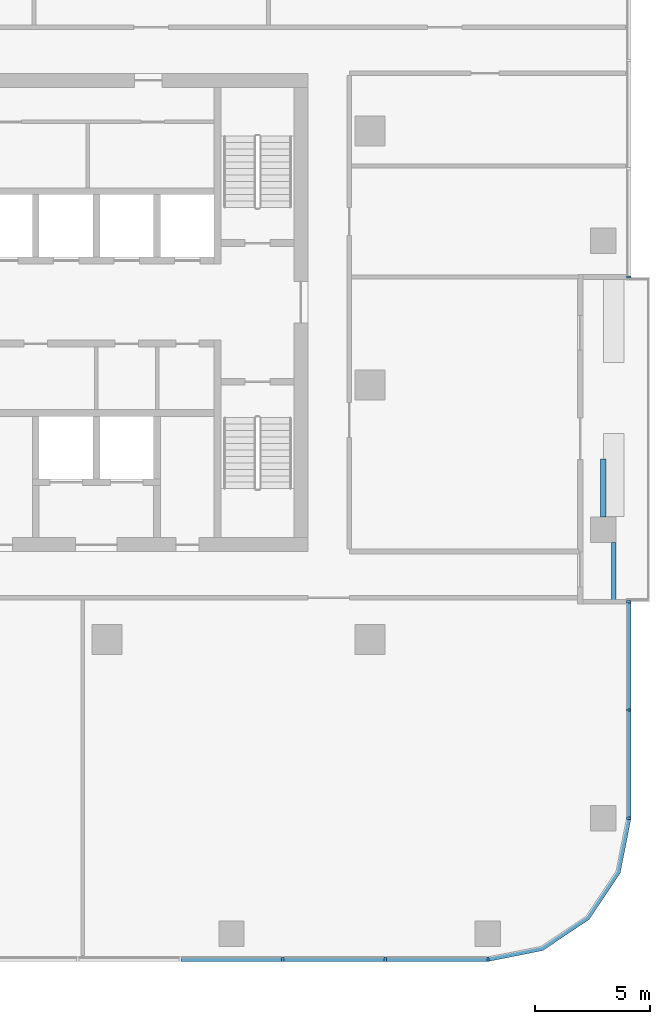
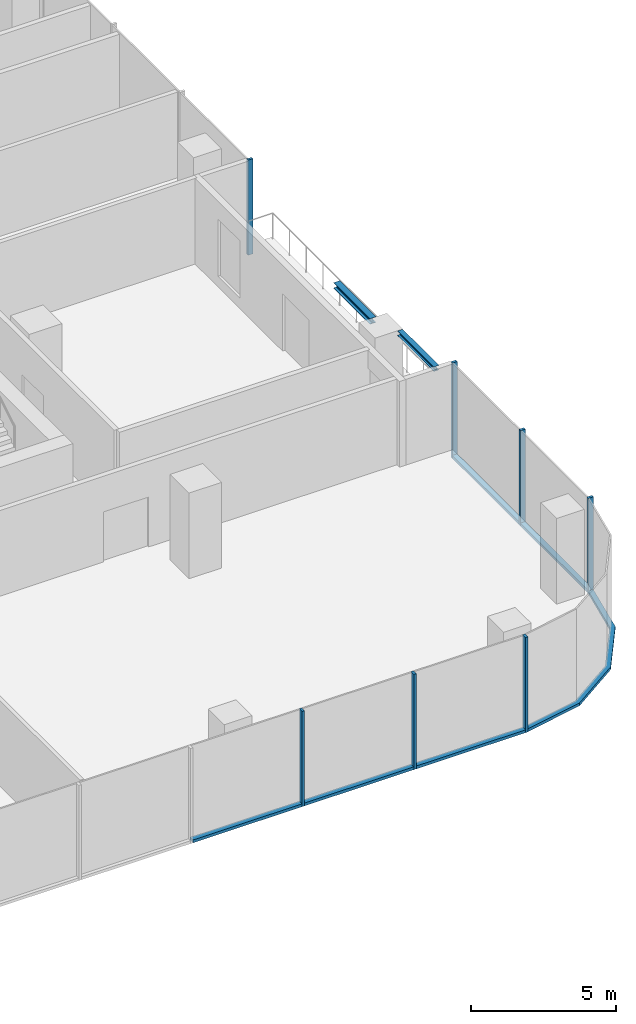
# One storey, part 3 of 14: 13 members, 2 beams, 4 elements without a shape of their own.
"""IFC4 building model written with IfcOpenShell, lengths in metres."""

import ifcopenshell
import ifcopenshell.guid

model = None  # the IFC model being written
_history = None  # IfcOwnerHistory: only IFC2X3 demands one
_inside = {}  # id of a spatial element -> (the spatial element, [elements in it])
_under = {}  # id of a project, library or spatial element -> (it, [spatial elements below it])
_declared = {}  # id of a project -> (the project, [libraries it declares])
_typed = {}  # id of a type object -> (the type object, [elements of that type])
_made_of = {}  # id of a material, layer set ... -> (it, [elements and type objects made of it])


def new_model(schema):
    """Start an empty IFC model of exactly this schema.

    Asked for "IFC4X3", IfcOpenShell would pick the latest addendum, in which some entities
    have other attributes; the version numbers below select the first issue.
    IFC2X3 requires an IfcOwnerHistory on every rooted entity: one is made here for all.
    """
    global model, _history
    if schema == "IFC4X3":
        model = ifcopenshell.file(schema_version=(4, 3, 0, 0))
    else:
        model = ifcopenshell.file(schema=schema)
    _inside.clear()
    _under.clear()
    _declared.clear()
    _typed.clear()
    _made_of.clear()
    _history = None
    if model.schema == "IFC2X3":
        org = make("IfcOrganization", Name="unknown")
        user = make(
            "IfcPersonAndOrganization",
            ThePerson=make("IfcPerson", FamilyName="unknown"),
            TheOrganization=org,
        )
        app = make(
            "IfcApplication",
            ApplicationDeveloper=org,
            Version="unknown",
            ApplicationFullName="unknown",
            ApplicationIdentifier="unknown",
        )
        _history = make(
            "IfcOwnerHistory",
            OwningUser=user,
            OwningApplication=app,
            ChangeAction="ADDED",
            CreationDate=0,
        )
    return model


def make(cls, **values):
    """One entity of the class cls with the attributes given. An attribute that is None is left unset."""
    return model.create_entity(
        cls, **{name: value for name, value in values.items() if value is not None}
    )


def rooted(cls, **values):
    """An entity with a GlobalId (a new one), such as an element, a storey or a relation."""
    return make(cls, GlobalId=ifcopenshell.guid.new(), OwnerHistory=_history, **values)


def si_unit(unit_type, name, prefix=None):
    """IfcSIUnit, for example si_unit("LENGTHUNIT", "METRE", prefix="MILLI")."""
    return make("IfcSIUnit", UnitType=unit_type, Prefix=prefix, Name=name)


def assignment(units):
    """IfcUnitAssignment: the units of a project."""
    return None if units is None else make("IfcUnitAssignment", Units=units)


def point(xyz):
    """IfcCartesianPoint."""
    return None if xyz is None else make("IfcCartesianPoint", Coordinates=xyz)


def direction(xyz):
    """IfcDirection."""
    return None if xyz is None else make("IfcDirection", DirectionRatios=xyz)


def frame(location, z_axis=None, x_axis=None):
    """IfcAxis2Placement3D, a coordinate frame: its origin and axes. An axis left out is left unset."""
    return make(
        "IfcAxis2Placement3D",
        Location=point(location),
        Axis=direction(z_axis),
        RefDirection=direction(x_axis),
    )


def frame_2d(location, x_axis=None):
    """IfcAxis2Placement2D, a coordinate frame in the plane: its origin and x axis."""
    return make(
        "IfcAxis2Placement2D", Location=point(location), RefDirection=direction(x_axis)
    )


def origin():
    """The frame at (0, 0, 0) with its axes left unset."""
    return frame((0.0, 0.0, 0.0))


def origin_2d():
    """The frame at (0, 0) in the plane with its x axis left unset."""
    return frame_2d((0.0, 0.0))


def place(relative_to, where):
    """IfcLocalPlacement: puts the frame where relative to a parent placement (None: the world)."""
    return make(
        "IfcLocalPlacement", PlacementRelTo=relative_to, RelativePlacement=where
    )


def context(
    kind, dimensions, precision=None, world=None, true_north=None, identifier=None
):
    """IfcGeometricRepresentationContext, for example the 3D "Model" context."""
    return make(
        "IfcGeometricRepresentationContext",
        ContextIdentifier=identifier,
        ContextType=kind,
        CoordinateSpaceDimension=dimensions,
        Precision=precision,
        WorldCoordinateSystem=world,
        TrueNorth=true_north,
    )


def subcontext(parent, identifier, kind, view, scale=None):
    """IfcGeometricRepresentationSubContext, for example "Body" below "Model"."""
    return make(
        "IfcGeometricRepresentationSubContext",
        ContextIdentifier=identifier,
        ContextType=kind,
        ParentContext=parent,
        TargetScale=scale,
        TargetView=view,
    )


def project(units=None, contexts=None):
    """IfcProject with its units and contexts."""
    return rooted(
        "IfcProject",
        Name="project",
        RepresentationContexts=contexts,
        UnitsInContext=assignment(units),
    )


def spatial(cls, under=None, at=None, **own):
    """A site, building, storey or space (cls), placed at a placement, below another one or the project."""
    s = rooted(cls, ObjectPlacement=at, **own)
    if under is not None:
        _under.setdefault(under.id(), (under, []))[1].append(s)
    return s


def polyline(points):
    """IfcPolyline through the points."""
    return make("IfcPolyline", Points=[point(p) for p in points])


def profile(cls, at=None, kind="AREA", **sizes):
    """A parametric profile (cls). Its sizes go by their IFC names, for example OverallWidth=200.0."""
    return make(cls, ProfileType=kind, Position=at, **sizes)


def rectangle(**sizes):
    """IfcRectangleProfileDef."""
    return profile("IfcRectangleProfileDef", **sizes)


def i_section(**sizes):
    """IfcIShapeProfileDef."""
    return profile("IfcIShapeProfileDef", **sizes)


def outline(outer, holes=None, kind="AREA"):
    """IfcArbitraryClosedProfileDef: a profile drawn as a closed curve; with holes, ...WithVoids."""
    if holes is None:
        return make("IfcArbitraryClosedProfileDef", ProfileType=kind, OuterCurve=outer)
    return make(
        "IfcArbitraryProfileDefWithVoids",
        ProfileType=kind,
        OuterCurve=outer,
        InnerCurves=holes,
    )


def extrude(swept, where, along, depth):
    """IfcExtrudedAreaSolid: the profile swept, set in the frame where, extruded along a direction by depth."""
    return make(
        "IfcExtrudedAreaSolid",
        SweptArea=swept,
        Position=where,
        ExtrudedDirection=direction(along),
        Depth=depth,
    )


def shape(context_of_items, identifier, shape_type, items):
    """IfcShapeRepresentation: the items that make up one representation, for example the "Body"."""
    return make(
        "IfcShapeRepresentation",
        ContextOfItems=context_of_items,
        RepresentationIdentifier=identifier,
        RepresentationType=shape_type,
        Items=items,
    )


def material(Name=None, Category=None):
    """IfcMaterial."""
    return make("IfcMaterial", Name=Name, Category=Category)


def material_profile(
    of_material, cross_section, Name=None, Category=None, Priority=None
):
    """IfcMaterialProfile: a cross section and its material."""
    return make(
        "IfcMaterialProfile",
        Name=Name,
        Material=of_material,
        Profile=cross_section,
        Priority=Priority,
        Category=Category,
    )


def profile_set(profiles, Name=None, composite=None):
    """IfcMaterialProfileSet."""
    return make(
        "IfcMaterialProfileSet",
        Name=Name,
        MaterialProfiles=profiles,
        CompositeProfile=composite,
    )


def made_of(thing, what):
    """Note that an element or type object is made of a material, layer set ...; save() writes the relation."""
    if what is not None:
        _made_of.setdefault(what.id(), (what, []))[1].append(thing)
    return thing


def type_object(cls, material=None, **own):
    """A type object (cls), such as IfcWallType, which elements share."""
    return made_of(rooted(cls, **own), material)


def element(
    cls,
    number,
    at=None,
    inside=None,
    cuts=None,
    type_object=None,
    material=None,
    context=None,
    identifier="Body",
    shape_type=None,
    held_by="IfcProductDefinitionShape",
    body=None,
    shapes=None,
    **own,
):
    """One element of the class cls, such as IfcWall. Its Tag is "e" and its number.

    at: its placement. inside: the storey or other place that contains it. cuts: it is an
    opening in that element (IfcRelVoidsElement). A single representation is given by context,
    identifier, shape_type and body (its items); several are given by shapes. held_by: the class
    of the entity that holds the representations. save() writes the other relations.
    """
    e = rooted(cls, Tag="e%d" % number, ObjectPlacement=at, **own)
    if body is not None:
        shapes = [shape(context, identifier, shape_type, body)]
    if shapes is not None:
        e.Representation = make(held_by, Representations=shapes)
    if inside is not None:
        _inside.setdefault(inside.id(), (inside, []))[1].append(e)
    if cuts is not None:
        rooted(
            "IfcRelVoidsElement", RelatingBuildingElement=cuts, RelatedOpeningElement=e
        )
    if type_object is not None:
        _typed.setdefault(type_object.id(), (type_object, []))[1].append(e)
    return made_of(e, material)


def aggregate(whole, parts):
    """IfcRelAggregates: a whole, such as a stair, and the parts it consists of."""
    return rooted("IfcRelAggregates", RelatingObject=whole, RelatedObjects=parts)


def save(model, path):
    """Write the relations noted so far, then the file.

    IfcRelAggregates (storeys below a building ...), IfcRelContainedInSpatialStructure (elements
    in a storey), IfcRelDefinesByType, IfcRelAssociatesMaterial and IfcRelDeclares: one each for
    every whole, place, type object, material and project.
    """
    for whole, parts in _under.values():
        aggregate(whole, parts)
    for where, things in _inside.values():
        rooted(
            "IfcRelContainedInSpatialStructure",
            RelatedElements=things,
            RelatingStructure=where,
        )
    for kind, things in _typed.values():
        rooted("IfcRelDefinesByType", RelatedObjects=things, RelatingType=kind)
    for what, things in _made_of.values():
        rooted("IfcRelAssociatesMaterial", RelatedObjects=things, RelatingMaterial=what)
    for by, libraries in _declared.values():
        rooted("IfcRelDeclares", RelatingContext=by, RelatedDefinitions=libraries)
    model.write(path)


model = new_model("IFC4")

# Units and contexts
model_context = context("Model", 3, precision=1e-05, world=origin(), true_north=direction((0.0, 1.0)))
body_context = subcontext(model_context, "Body", "Model", "MODEL_VIEW")
ifc_project = project(units=[si_unit("LENGTHUNIT", "METRE"), si_unit("AREAUNIT", "SQUARE_METRE"), si_unit("VOLUMEUNIT", "CUBIC_METRE"), si_unit("PLANEANGLEUNIT", "RADIAN"), si_unit("MASSUNIT", "GRAM", prefix="KILO")], contexts=[model_context])

# Site, building, storey
site_placement = place(None, origin())
site = spatial("IfcSite", under=ifc_project, at=site_placement, CompositionType="ELEMENT")
building_placement = place(site_placement, origin())
building = spatial("IfcBuilding", under=site, at=building_placement, Name="Mopane Tessera Tower", CompositionType="ELEMENT")
storey_placement = place(building_placement, frame((0.0, 0.0, 219.0)))
storey = spatial("IfcBuildingStorey", under=building, at=storey_placement, Name="L46", CompositionType="ELEMENT", Elevation=219.0)

# Curtain wall, members
ifc_material_1 = material(Name="Aluminium frame", Category="aluminium")
curtain_wall_type = type_object("IfcCurtainWallType", Name="Unitised curtain wall", PredefinedType="NOTDEFINED", material=ifc_material_1)
curtain_wall_1_placement = place(storey_placement, origin())
curtain_wall_1 = element("IfcCurtainWall", 1, at=curtain_wall_1_placement, inside=storey, type_object=curtain_wall_type, Name="e:cw:L46:S:4", PredefinedType="NOTDEFINED")
ifc_material_2 = material(Name="Aluminium frame", Category="aluminium")
ifc_material_profile_1 = material_profile(ifc_material_2, rectangle(XDim=0.10009765625, YDim=0.199951171875, at=origin_2d()))
ifc_profile_set_1 = profile_set([ifc_material_profile_1], Name="Aluminium frame")
member_type_1 = type_object("IfcMemberType", Name="Aluminium mullion 100 x 200", PredefinedType="MULLION", material=ifc_profile_set_1)
member_1_placement = place(storey_placement, frame((13.320068359375, -24.85009765625, -0.39990234375), z_axis=(0.0, 0.0, 1.0), x_axis=(1.0, 0.0, 0.0)))
member_1 = element("IfcMember", 2, at=member_1_placement, type_object=member_type_1, Name="e:cw:L46:S:4:mu8", PredefinedType="MULLION", context=body_context, shape_type="SweptSolid", body=[
    extrude(rectangle(XDim=0.10009765625, YDim=0.199951171875, at=origin_2d()), origin(), (0.0, 0.0, 1.0), 4.0),
])
member_2_placement = place(storey_placement, frame((17.760009765625, -24.85009765625, -0.39990234375), z_axis=(0.0, 0.0, 1.0), x_axis=(1.0, 0.0, 0.0)))
member_2 = element("IfcMember", 3, at=member_2_placement, type_object=member_type_1, Name="e:cw:L46:S:4:mu9", PredefinedType="MULLION", context=body_context, shape_type="SweptSolid", body=[
    extrude(rectangle(XDim=0.10009765625, YDim=0.199951171875, at=origin_2d()), origin(), (0.0, 0.0, 1.0), 4.0),
])
member_3_placement = place(storey_placement, frame((22.199951171875, -24.85009765625, -0.39990234375), z_axis=(0.0, 0.0, 1.0), x_axis=(1.0, 0.0, 0.0)))
member_3 = element("IfcMember", 4, at=member_3_placement, type_object=member_type_1, Name="e:cw:L46:S:4:mu10", PredefinedType="MULLION", context=body_context, shape_type="SweptSolid", body=[
    extrude(rectangle(XDim=0.10009765625, YDim=0.199951171875, at=origin_2d()), origin(), (0.0, 0.0, 1.0), 4.0),
])

curtain_wall_2_placement = place(storey_placement, origin())
curtain_wall_2 = element("IfcCurtainWall", 5, at=curtain_wall_2_placement, inside=storey, type_object=curtain_wall_type, Name="e:cw:L46:E:0", PredefinedType="NOTDEFINED")
member_4_placement = place(storey_placement, frame((28.300048828125, -18.75, -0.39990234375), z_axis=(0.0, 0.0, 1.0), x_axis=(0.0, 1.0, 0.0)))
member_4 = element("IfcMember", 6, at=member_4_placement, type_object=member_type_1, Name="e:cw:L46:E:0:mu0", PredefinedType="MULLION", context=body_context, shape_type="SweptSolid", body=[
    extrude(rectangle(XDim=0.10009765625, YDim=0.199951171875, at=origin_2d()), origin(), (0.0, 0.0, 1.0), 4.0),
])
member_5_placement = place(storey_placement, frame((28.300048828125, -14.0625, -0.39990234375), z_axis=(0.0, 0.0, 1.0), x_axis=(0.0, 1.0, 0.0)))
member_5 = element("IfcMember", 7, at=member_5_placement, type_object=member_type_1, Name="e:cw:L46:E:0:mu1", PredefinedType="MULLION", context=body_context, shape_type="SweptSolid", body=[
    extrude(rectangle(XDim=0.10009765625, YDim=0.199951171875, at=origin_2d()), origin(), (0.0, 0.0, 1.0), 4.0),
])
member_6_placement = place(storey_placement, frame((28.300048828125, -9.375, -0.39990234375), z_axis=(0.0, 0.0, 1.0), x_axis=(0.0, 1.0, 0.0)))
member_6 = element("IfcMember", 8, at=member_6_placement, type_object=member_type_1, Name="e:cw:L46:E:0:mu2", PredefinedType="MULLION", context=body_context, shape_type="SweptSolid", body=[
    extrude(rectangle(XDim=0.10009765625, YDim=0.199951171875, at=origin_2d()), origin(), (0.0, 0.0, 1.0), 4.0),
])

# Curtain wall, member
curtain_wall_3_placement = place(storey_placement, origin())
curtain_wall_3 = element("IfcCurtainWall", 9, at=curtain_wall_3_placement, inside=storey, type_object=curtain_wall_type, Name="e:cw:L46:E:5", PredefinedType="NOTDEFINED")
member_7_placement = place(storey_placement, frame((28.300048828125, 4.6875, -0.39990234375), z_axis=(0.0, 0.0, 1.0), x_axis=(0.0, 1.0, 0.0)))
member_7 = element("IfcMember", 10, at=member_7_placement, type_object=member_type_1, Name="e:cw:L46:E:5:mu5", PredefinedType="MULLION", context=body_context, shape_type="SweptSolid", body=[
    extrude(rectangle(XDim=0.10009765625, YDim=0.199951171875, at=origin_2d()), origin(), (0.0, 0.0, 1.0), 4.0),
])
aggregate(curtain_wall_3, [member_7])

# Member
ifc_material_3 = material(Name="Aluminium frame", Category="aluminium")
ifc_material_profile_2 = material_profile(ifc_material_3, rectangle(XDim=0.199951171875, YDim=0.1201171875, at=origin_2d()))
ifc_profile_set_2 = profile_set([ifc_material_profile_2], Name="Aluminium frame")
member_type_2 = type_object("IfcMemberType", Name="Aluminium transom 200 x 120", PredefinedType="USERDEFINED", material=ifc_profile_set_2)
member_8_placement = place(storey_placement, frame((8.929931640625, -24.85009765625, -0.340087890625), z_axis=(1.0, 0.0, 0.0), x_axis=(0.0, 1.0, 0.0)))
member_8 = element("IfcMember", 11, at=member_8_placement, type_object=member_type_2, Name="e:cw:L46:S:4:tr7", ObjectType="TRANSOM", PredefinedType="USERDEFINED", context=body_context, shape_type="SweptSolid", body=[
    extrude(rectangle(XDim=0.199951171875, YDim=0.1201171875, at=origin_2d()), origin(), (0.0, 0.0, 1.0), 4.340087890625),
])

member_9_placement = place(storey_placement, frame((13.3701171875, -24.85009765625, -0.340087890625), z_axis=(1.0, 0.0, 0.0), x_axis=(0.0, 1.0, 0.0)))
member_9 = element("IfcMember", 12, at=member_9_placement, type_object=member_type_2, Name="e:cw:L46:S:4:tr8", ObjectType="TRANSOM", PredefinedType="USERDEFINED", context=body_context, shape_type="SweptSolid", body=[
    extrude(rectangle(XDim=0.199951171875, YDim=0.1201171875, at=origin_2d()), origin(), (0.0, 0.0, 1.0), 4.33984375),
])

member_10_placement = place(storey_placement, frame((17.81005859375, -24.85009765625, -0.340087890625), z_axis=(1.0, 0.0, 0.0), x_axis=(0.0, 1.0, 0.0)))
member_10 = element("IfcMember", 13, at=member_10_placement, type_object=member_type_2, Name="e:cw:L46:S:4:tr9", ObjectType="TRANSOM", PredefinedType="USERDEFINED", context=body_context, shape_type="SweptSolid", body=[
    extrude(rectangle(XDim=0.199951171875, YDim=0.1201171875, at=origin_2d()), origin(), (0.0, 0.0, 1.0), 4.33984375),
])

aggregate(curtain_wall_1, [member_1, member_2, member_3, member_8, member_9, member_10])

# Curtain wall, member
curtain_wall_4_placement = place(storey_placement, origin())
curtain_wall_4 = element("IfcCurtainWall", 14, at=curtain_wall_4_placement, inside=storey, type_object=curtain_wall_type, Name="e:cw:L46:CS", PredefinedType="NOTDEFINED")
member_11_placement = place(storey_placement, frame((0.0, 0.0, -0.39990234375)))
member_11 = element("IfcMember", 15, at=member_11_placement, type_object=member_type_2, Name="e:cw:L46:CS:tr", ObjectType="TRANSOM", PredefinedType="USERDEFINED", context=body_context, shape_type="SweptSolid", body=[
    extrude(outline(polyline([(22.199951171875, -24.75), (24.49609375, -24.293212890625), (26.442626953125, -22.99267578125), (27.7431640625, -21.046142578125), (28.199951171875, -18.75), (28.39990234375, -18.75), (27.927978515625, -21.12255859375), (26.583984375, -23.134033203125), (24.57275390625, -24.47802734375), (22.199951171875, -24.949951171875), (22.199951171875, -24.75)])), origin(), (0.0, 0.0, 1.0), 0.119873046875),
])
aggregate(curtain_wall_4, [member_11])

# Member
member_12_placement = place(storey_placement, frame((28.300048828125, -18.699951171875, -0.340087890625), z_axis=(0.0, 1.0, 0.0), x_axis=(-1.0, 0.0, 0.0)))
member_12 = element("IfcMember", 16, at=member_12_placement, type_object=member_type_2, Name="e:cw:L46:E:0:tr0", ObjectType="TRANSOM", PredefinedType="USERDEFINED", context=body_context, shape_type="SweptSolid", body=[
    extrude(rectangle(XDim=0.199951171875, YDim=0.1201171875, at=origin_2d()), origin(), (0.0, 0.0, 1.0), 4.58740234375),
])

member_13_placement = place(storey_placement, frame((28.300048828125, -14.012451171875, -0.340087890625), z_axis=(0.0, 1.0, 0.0), x_axis=(-1.0, 0.0, 0.0)))
member_13 = element("IfcMember", 17, at=member_13_placement, type_object=member_type_2, Name="e:cw:L46:E:0:tr1", ObjectType="TRANSOM", PredefinedType="USERDEFINED", context=body_context, shape_type="SweptSolid", body=[
    extrude(rectangle(XDim=0.199951171875, YDim=0.1201171875, at=origin_2d()), origin(), (0.0, 0.0, 1.0), 4.58740234375),
])

aggregate(curtain_wall_2, [member_4, member_5, member_6, member_12, member_13])

# Beams
ifc_material_4 = material(Name="Structural steel S460", Category="steel")
ifc_material_profile_3 = material_profile(ifc_material_4, i_section(OverallWidth=0.239990234375, OverallDepth=0.239990234375, WebThickness=0.010009765625, FlangeThickness=0.01708984375, FilletRadius=0.02099609375, at=origin_2d()))
ifc_profile_set_3 = profile_set([ifc_material_profile_3], Name="Structural steel S460")
beam_type_1 = type_object("IfcBeamType", Name="Terrace spandrel beam HE 240 B", PredefinedType="SPANDREL", material=ifc_profile_set_3)
beam_1_placement = place(storey_placement, frame((27.199951171875, -5.697021484375, 3.47998046875), z_axis=(0.0, 1.0, 0.0), x_axis=(-1.0, 0.0, 0.0)))
element("IfcBeam", 18, at=beam_1_placement, inside=storey, type_object=beam_type_1, Name="Terrace spandrel beam N2 L47", PredefinedType="SPANDREL", context=body_context, shape_type="SweptSolid", body=[
    extrude(i_section(OverallWidth=0.239990234375, OverallDepth=0.239990234375, WebThickness=0.010009765625, FlangeThickness=0.01708984375, FilletRadius=0.02099609375, at=origin_2d()), origin(), (0.0, 0.0, 1.0), 2.5),
])
ifc_material_5 = material(Name="Structural steel S460", Category="steel")
ifc_material_profile_4 = material_profile(ifc_material_5, i_section(OverallWidth=0.199951171875, OverallDepth=0.199951171875, WebThickness=0.009033203125, FlangeThickness=0.014892578125, FilletRadius=0.01806640625, at=origin_2d()))
ifc_profile_set_4 = profile_set([ifc_material_profile_4], Name="Structural steel S460")
beam_type_2 = type_object("IfcBeamType", Name="Terrace trimmer beam HE 200 B", PredefinedType="BEAM", material=ifc_profile_set_4)
beam_2_placement = place(storey_placement, frame((27.639892578125, -6.802978515625, 3.5), z_axis=(0.0, -1.0, 0.0), x_axis=(1.0, 0.0, 0.0)))
element("IfcBeam", 19, at=beam_2_placement, inside=storey, type_object=beam_type_2, Name="Terrace trimmer beam N2 L47", PredefinedType="BEAM", context=body_context, shape_type="SweptSolid", body=[
    extrude(i_section(OverallWidth=0.199951171875, OverallDepth=0.199951171875, WebThickness=0.009033203125, FlangeThickness=0.014892578125, FilletRadius=0.01806640625, at=origin_2d()), origin(), (0.0, 0.0, 1.0), 2.5),
])

save(model, "model.ifc")
